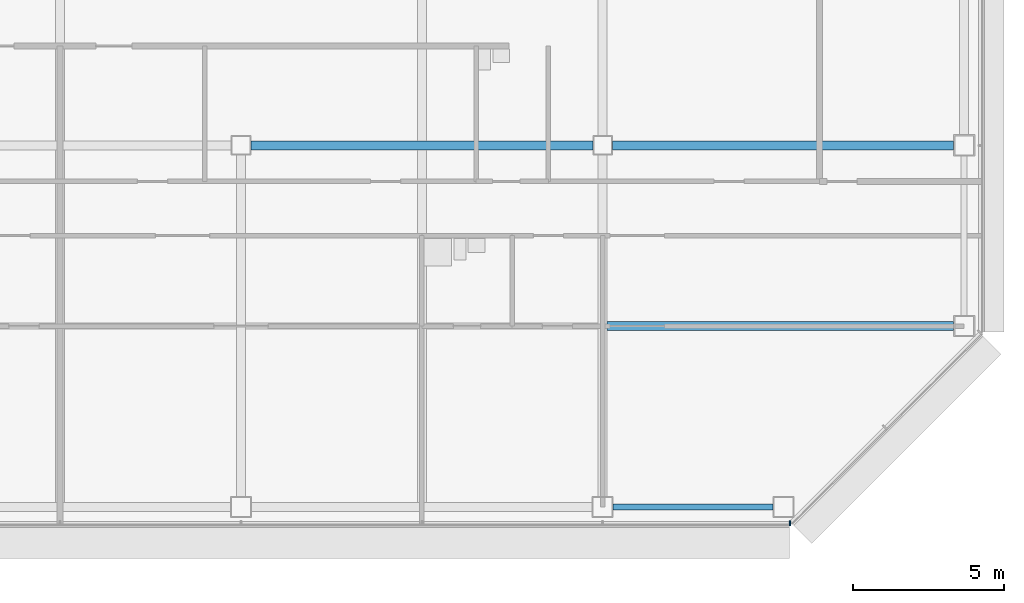
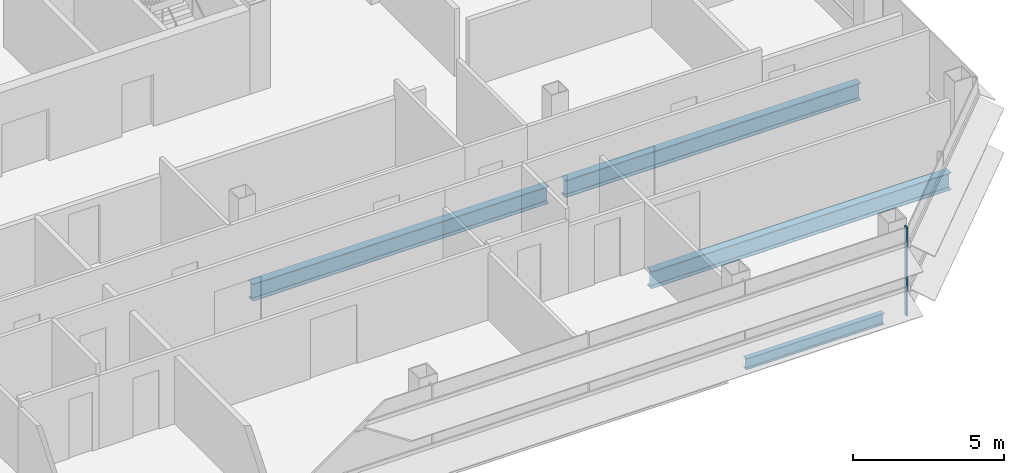
# One storey, part 9 of 24: 4 beams, 1 member, 1 element without a shape of its own.
"""IFC4 building model written with IfcOpenShell, lengths in metres."""

from ifc_helpers import new_model, si_unit, direction, frame, origin, origin_2d, place, context, subcontext, project, spatial, rectangle, i_section, extrude, material, material_profile, profile_set, type_object, element, aggregate, save


model = new_model("IFC4")

# Units and contexts
model_context = context("Model", 3, precision=1e-05, world=origin(), true_north=direction((0.0, 1.0)))
body_context = subcontext(model_context, "Body", "Model", "MODEL_VIEW")
ifc_project = project(units=[si_unit("LENGTHUNIT", "METRE"), si_unit("AREAUNIT", "SQUARE_METRE"), si_unit("VOLUMEUNIT", "CUBIC_METRE"), si_unit("PLANEANGLEUNIT", "RADIAN"), si_unit("MASSUNIT", "GRAM", prefix="KILO")], contexts=[model_context])

# Site, building, storey
site_placement = place(None, origin())
site = spatial("IfcSite", under=ifc_project, at=site_placement, CompositionType="ELEMENT")
building_placement = place(site_placement, origin())
building = spatial("IfcBuilding", under=site, at=building_placement, Name="Sorahane Residences", CompositionType="ELEMENT")
storey_placement = place(building_placement, frame((0.0, 0.0, 178.0)))
storey = spatial("IfcBuildingStorey", under=building, at=storey_placement, Name="L41", CompositionType="ELEMENT", Elevation=178.0)

# Curtain wall, member
ifc_material_1 = material(Name="Dark low-e glass and black anodised aluminium", Category="aluminium")
curtain_wall_type = type_object("IfcCurtainWallType", Name="Curtain wall CW-1 Typical unitised wall", PredefinedType="NOTDEFINED", material=ifc_material_1)
curtain_wall_placement = place(storey_placement, origin())
curtain_wall = element("IfcCurtainWall", 1, at=curtain_wall_placement, inside=storey, type_object=curtain_wall_type, Name="CW-1 curtain wall L41 S1", PredefinedType="NOTDEFINED")
ifc_material_2 = material(Name="Black anodised aluminium", Category="aluminium")
ifc_material_profile_1 = material_profile(ifc_material_2, rectangle(XDim=0.159912109375, YDim=0.050048828125, at=origin_2d()), Name="Curtain wall mullion CW-1 black anodised aluminium 50x160")
ifc_profile_set_1 = profile_set([ifc_material_profile_1], Name="Black anodised aluminium")
member_type = type_object("IfcMemberType", Name="Curtain wall mullion CW-1 black anodised aluminium 50x160", PredefinedType="MULLION", material=ifc_profile_set_1)
member_placement = place(storey_placement, frame((54.2236328125, -0.5400390625, -0.179931640625), z_axis=(0.0, 0.0, 1.0), x_axis=(0.0, -1.0, 0.0)))
member = element("IfcMember", 2, at=member_placement, type_object=member_type, Name="CW-1 mullion L41 S1.10", PredefinedType="MULLION", context=body_context, shape_type="SweptSolid", body=[
    extrude(rectangle(XDim=0.159912109375, YDim=0.050048828125, at=origin_2d()), origin(), (0.0, 0.0, 1.0), 3.599853515625),
])
aggregate(curtain_wall, [member])

# Beams
ifc_material_3 = material(Name="Steel Q355B", Category="steel")
ifc_material_profile_2 = material_profile(ifc_material_3, i_section(OverallWidth=0.199951171875, OverallDepth=0.449951171875, WebThickness=0.009033203125, FlangeThickness=0.013916015625, FilletRadius=0.02001953125, at=origin_2d()), Name="HN 450x200x9x14")
ifc_profile_set_2 = profile_set([ifc_material_profile_2], Name="Steel Q355B")
beam_type_1 = type_object("IfcBeamType", Name="Steel floor beam HN 450x200x9x14 Q355B", PredefinedType="BEAM", material=ifc_profile_set_2)
beam_1_placement = place(storey_placement, frame((48.35009765625, 0.0, -0.405029296875), z_axis=(1.0, 0.0, 0.0), x_axis=(0.0, 1.0, 0.0)))
element("IfcBeam", 3, at=beam_1_placement, inside=storey, type_object=beam_type_1, Name="Beam L41 004", PredefinedType="BEAM", context=body_context, shape_type="SweptSolid", body=[
    extrude(i_section(OverallWidth=0.199951171875, OverallDepth=0.449951171875, WebThickness=0.009033203125, FlangeThickness=0.013916015625, FilletRadius=0.02001953125, at=origin_2d()), origin(), (0.0, 0.0, 1.0), 5.2998046875),
])
ifc_material_4 = material(Name="Steel Q355B", Category="steel")
ifc_material_profile_3 = material_profile(ifc_material_4, i_section(OverallWidth=0.300048828125, OverallDepth=0.699951171875, WebThickness=0.012939453125, FlangeThickness=0.02392578125, FilletRadius=0.028076171875, at=origin_2d()), Name="HN 700x300x13x24")
ifc_profile_set_3 = profile_set([ifc_material_profile_3], Name="Steel Q355B")
beam_type_2 = type_object("IfcBeamType", Name="Steel floor beam HN 700x300x13x24 Q355B", PredefinedType="BEAM", material=ifc_profile_set_3)
beam_2_placement = place(storey_placement, frame((36.324951171875, 12.0, -0.530029296875), z_axis=(1.0, 0.0, 0.0), x_axis=(0.0, 1.0, 0.0)))
element("IfcBeam", 4, at=beam_2_placement, inside=storey, type_object=beam_type_2, Name="Beam L41 009", PredefinedType="BEAM", context=body_context, shape_type="SweptSolid", body=[
    extrude(i_section(OverallWidth=0.300048828125, OverallDepth=0.699951171875, WebThickness=0.012939453125, FlangeThickness=0.02392578125, FilletRadius=0.028076171875, at=origin_2d()), origin(), (0.0, 0.0, 1.0), 11.35009765625),
])
beam_3_placement = place(storey_placement, frame((48.324951171875, 12.0, -0.530029296875), z_axis=(1.0, 0.0, 0.0), x_axis=(0.0, 1.0, 0.0)))
element("IfcBeam", 5, at=beam_3_placement, inside=storey, type_object=beam_type_2, Name="Beam L41 010", PredefinedType="BEAM", context=body_context, shape_type="SweptSolid", body=[
    extrude(i_section(OverallWidth=0.300048828125, OverallDepth=0.699951171875, WebThickness=0.012939453125, FlangeThickness=0.02392578125, FilletRadius=0.028076171875, at=origin_2d()), origin(), (0.0, 0.0, 1.0), 11.324951171875),
])
beam_4_placement = place(storey_placement, frame((48.14990234375, 6.0, -0.530029296875), z_axis=(1.0, 0.0, 0.0), x_axis=(0.0, 1.0, 0.0)))
element("IfcBeam", 6, at=beam_4_placement, inside=storey, type_object=beam_type_2, Name="Beam L41 077", PredefinedType="BEAM", context=body_context, shape_type="SweptSolid", body=[
    extrude(i_section(OverallWidth=0.300048828125, OverallDepth=0.699951171875, WebThickness=0.012939453125, FlangeThickness=0.02392578125, FilletRadius=0.028076171875, at=origin_2d()), origin(), (0.0, 0.0, 1.0), 11.5),
])

save(model, "model.ifc")
